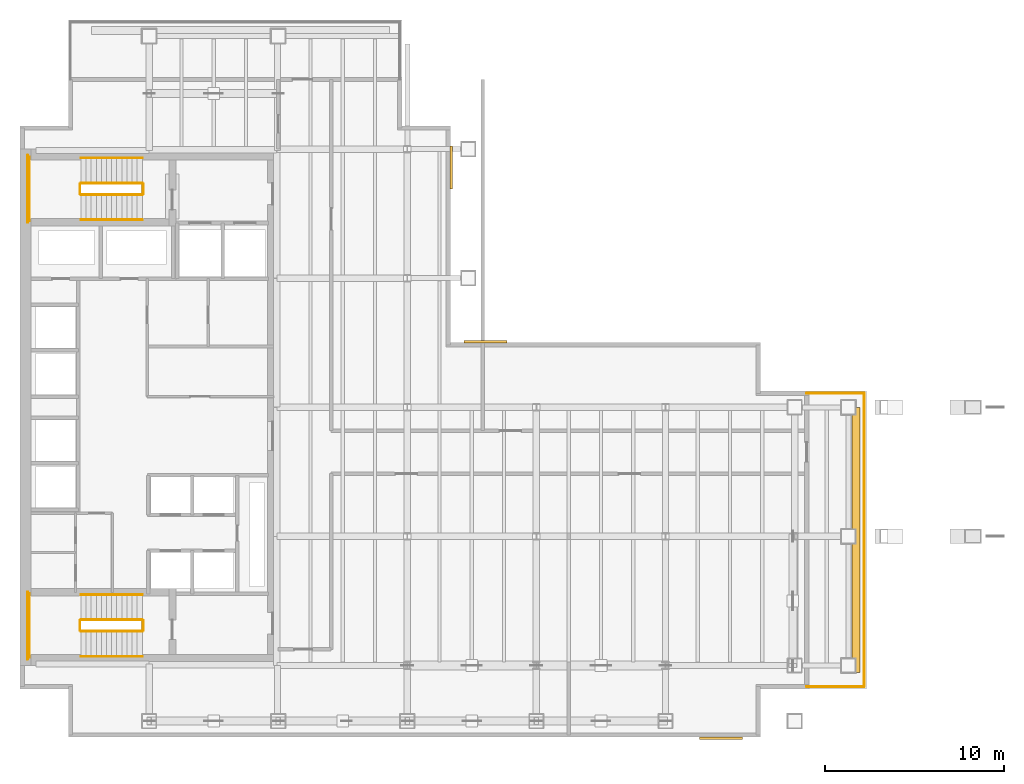
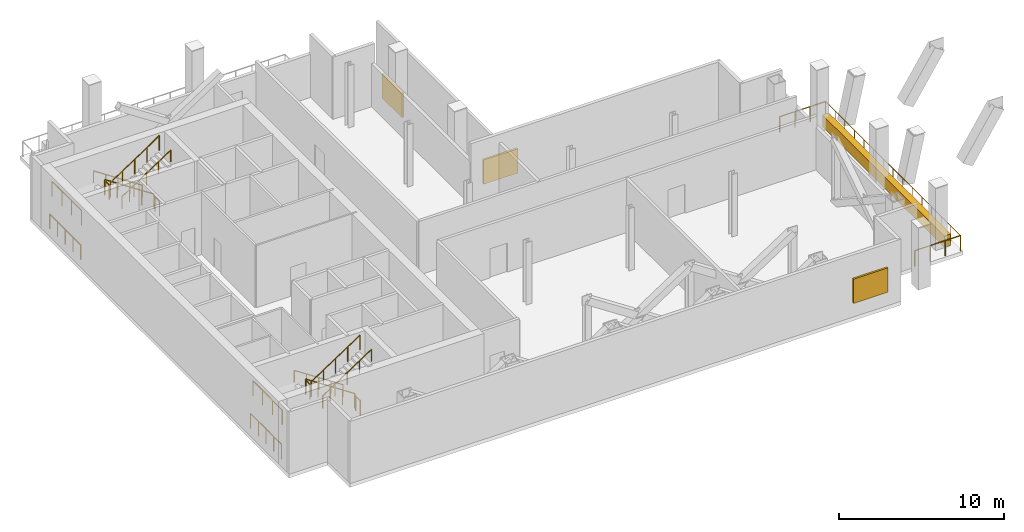
# One storey, part 7 of 8: 19 railings, 3 shading devices, 1 covering.
"""IFC4 building model written with IfcOpenShell, lengths in metres."""

from ifc_helpers import new_model, si_unit, direction, frame, origin, origin_2d, place, context, subcontext, project, spatial, polyline, circle, outline, extrude, material, layer, layer_set, type_object, element, save


model = new_model("IFC4")

# Units and contexts
model_context = context("Model", 3, precision=1e-05, world=origin(), true_north=direction((0.0, 1.0)))
body_context = subcontext(model_context, "Body", "Model", "MODEL_VIEW")
ifc_project = project(units=[si_unit("LENGTHUNIT", "METRE"), si_unit("AREAUNIT", "SQUARE_METRE"), si_unit("VOLUMEUNIT", "CUBIC_METRE"), si_unit("PLANEANGLEUNIT", "RADIAN"), si_unit("MASSUNIT", "GRAM", prefix="KILO")], contexts=[model_context])

# Site, building, storey
site_placement = place(None, origin())
site = spatial("IfcSite", under=ifc_project, at=site_placement, CompositionType="ELEMENT")
building_placement = place(site_placement, origin())
building = spatial("IfcBuilding", under=site, at=building_placement, Name="Cobrela Telecom Tower", CompositionType="ELEMENT")
storey_placement = place(building_placement, frame((0.0, 0.0, 163.800048828125)))
storey = spatial("IfcBuildingStorey", under=building, at=storey_placement, Name="L41", CompositionType="ELEMENT", Elevation=163.800048828125)

# Covering
ifc_material_1 = material(Name="Planted Vegetated Landscape Soil and Foliage System")
ifc_layer_1 = layer(ifc_material_1, 0.85009765625)
ifc_layer_set_1 = layer_set([ifc_layer_1], Name="Planted Vegetated Landscape Soil and Foliage System")
covering_type = type_object("IfcCoveringType", Name="PLANTER-BED-850", PredefinedType="USERDEFINED", material=ifc_layer_set_1)
covering_placement = place(storey_placement, origin())
element("IfcCovering", 1, at=covering_placement, inside=storey, type_object=covering_type, Name="L41 Sky Garden Planted Parapet Bed SG41-E", ObjectType="PLANTER", PredefinedType="USERDEFINED", context=body_context, shape_type="SweptSolid", body=[
    extrude(outline(polyline([(46.39990234375, 6.800048828125), (46.85009765625, 6.800048828125), (46.85009765625, 21.60009765625), (46.39990234375, 21.60009765625), (46.39990234375, 6.800048828125)])), origin(), (0.0, 0.0, 1.0), 0.849853515625),
])

# Railings
ifc_material_2 = material(Name="Anodized Bronze Aluminium 6063-T6", Category="aluminium")
railing_type_1 = type_object("IfcRailingType", Name="RAIL-BAL-1150", PredefinedType="BALUSTRADE", material=ifc_material_2)
railing_1_placement = place(storey_placement, frame((43.8798828125, 6.02001953125, 0.0)))
element("IfcRailing", 2, at=railing_1_placement, inside=storey, type_object=railing_type_1, Name="L41 Outdoor Terrace Perimeter Balustrade SG41-ES", PredefinedType="BALUSTRADE", context=body_context, shape_type="SweptSolid", body=[
    extrude(circle(Radius=0.02392578125, at=origin_2d()), frame((0.0, 0.0, 1.1259765625), z_axis=(1.0, 0.0, 0.0), x_axis=(0.0, 1.0, 0.0)), (0.0, 0.0, 1.0), 3.2001953125),
    extrude(circle(Radius=0.02099609375, at=origin_2d()), origin(), (0.0, 0.0, 1.0), 1.101806640625),
    extrude(circle(Radius=0.02099609375, at=origin_2d()), frame((1.066650390625, 0.0, 0.0)), (0.0, 0.0, 1.0), 1.101806640625),
    extrude(circle(Radius=0.02099609375, at=origin_2d()), frame((2.133544921875, 0.0, 0.0)), (0.0, 0.0, 1.0), 1.101806640625),
    extrude(circle(Radius=0.02099609375, at=origin_2d()), frame((3.2001953125, 0.0, 0.0)), (0.0, 0.0, 1.0), 1.101806640625),
])
railing_2_placement = place(storey_placement, frame((47.080078125, 6.02001953125, 0.0)))
element("IfcRailing", 3, at=railing_2_placement, inside=storey, type_object=railing_type_1, Name="L41 Outdoor Terrace Perimeter Balustrade SG41-EE", PredefinedType="BALUSTRADE", context=body_context, shape_type="SweptSolid", body=[
    extrude(circle(Radius=0.02392578125, at=origin_2d()), frame((0.0, 0.0, 1.1259765625), z_axis=(0.0, 1.0, 0.0), x_axis=(-1.0, 0.0, 0.0)), (0.0, 0.0, 1.0), 16.35986328125),
    extrude(circle(Radius=0.02099609375, at=origin_2d()), origin(), (0.0, 0.0, 1.0), 1.101806640625),
    extrude(circle(Radius=0.02099609375, at=origin_2d()), frame((0.0, 1.16845703125, 0.0)), (0.0, 0.0, 1.0), 1.101806640625),
    extrude(circle(Radius=0.02099609375, at=origin_2d()), frame((0.0, 2.337158203125, 0.0)), (0.0, 0.0, 1.0), 1.101806640625),
    extrude(circle(Radius=0.02099609375, at=origin_2d()), frame((0.0, 3.505615234375, 0.0)), (0.0, 0.0, 1.0), 1.101806640625),
    extrude(circle(Radius=0.02099609375, at=origin_2d()), frame((0.0, 4.67431640625, 0.0)), (0.0, 0.0, 1.0), 1.101806640625),
    extrude(circle(Radius=0.02099609375, at=origin_2d()), frame((0.0, 5.8427734375, 0.0)), (0.0, 0.0, 1.0), 1.101806640625),
    extrude(circle(Radius=0.02099609375, at=origin_2d()), frame((0.0, 7.011474609375, 0.0)), (0.0, 0.0, 1.0), 1.101806640625),
    extrude(circle(Radius=0.02099609375, at=origin_2d()), frame((0.0, 8.179931640625, 0.0)), (0.0, 0.0, 1.0), 1.101806640625),
    extrude(circle(Radius=0.02099609375, at=origin_2d()), frame((0.0, 9.348388671875, 0.0)), (0.0, 0.0, 1.0), 1.101806640625),
    extrude(circle(Radius=0.02099609375, at=origin_2d()), frame((0.0, 10.51708984375, 0.0)), (0.0, 0.0, 1.0), 1.101806640625),
    extrude(circle(Radius=0.02099609375, at=origin_2d()), frame((0.0, 11.685546875, 0.0)), (0.0, 0.0, 1.0), 1.101806640625),
    extrude(circle(Radius=0.02099609375, at=origin_2d()), frame((0.0, 12.854248046875, 0.0)), (0.0, 0.0, 1.0), 1.101806640625),
    extrude(circle(Radius=0.02099609375, at=origin_2d()), frame((0.0, 14.022705078125, 0.0)), (0.0, 0.0, 1.0), 1.101806640625),
    extrude(circle(Radius=0.02099609375, at=origin_2d()), frame((0.0, 15.19140625, 0.0)), (0.0, 0.0, 1.0), 1.101806640625),
    extrude(circle(Radius=0.02099609375, at=origin_2d()), frame((0.0, 16.35986328125, 0.0)), (0.0, 0.0, 1.0), 1.101806640625),
])
railing_3_placement = place(storey_placement, frame((47.080078125, 22.3798828125, 0.0)))
element("IfcRailing", 4, at=railing_3_placement, inside=storey, type_object=railing_type_1, Name="L41 Outdoor Terrace Perimeter Balustrade SG41-EN", PredefinedType="BALUSTRADE", context=body_context, shape_type="SweptSolid", body=[
    extrude(circle(Radius=0.02392578125, at=origin_2d()), frame((0.0, 0.0, 1.1259765625), z_axis=(-1.0, 0.0, 0.0), x_axis=(0.0, -1.0, 0.0)), (0.0, 0.0, 1.0), 3.2001953125),
    extrude(circle(Radius=0.02099609375, at=origin_2d()), origin(), (0.0, 0.0, 1.0), 1.101806640625),
    extrude(circle(Radius=0.02099609375, at=origin_2d()), frame((-1.066650390625, 0.0, 0.0)), (0.0, 0.0, 1.0), 1.101806640625),
    extrude(circle(Radius=0.02099609375, at=origin_2d()), frame((-2.133544921875, 0.0, 0.0)), (0.0, 0.0, 1.0), 1.101806640625),
    extrude(circle(Radius=0.02099609375, at=origin_2d()), frame((-3.2001953125, 0.0, 0.0)), (0.0, 0.0, 1.0), 1.101806640625),
])
ifc_material_3 = material(Name="Steel ASTM A36", Category="steel")
railing_type_2 = type_object("IfcRailingType", Name="RAIL-GUARD-1100", PredefinedType="GUARDRAIL", material=ifc_material_3)
railing_4_placement = place(storey_placement, frame((6.820068359375, 34.10009765625, 0.1884765625)))
element("IfcRailing", 5, at=railing_4_placement, inside=storey, type_object=railing_type_2, Name="L41 ST1 stair guard 1", PredefinedType="GUARDRAIL", context=body_context, shape_type="SweptSolid", body=[
    extrude(circle(Radius=0.02392578125, at=origin_2d()), frame((0.0, 0.0, 1.076171875), z_axis=(-0.83414210066, 0.0, 0.551549595147), x_axis=(0.0, -1.0, 0.0)), (0.0, 0.0, 1.0), 4.100341796875),
    extrude(circle(Radius=0.02099609375, at=origin_2d()), origin(), (0.0, 0.0, 1.0), 1.052001953125),
    extrude(circle(Radius=0.02099609375, at=origin_2d()), frame((-0.85498046875, 0.0, 0.5654296875)), (0.0, 0.0, 1.0), 1.052001953125),
    extrude(circle(Radius=0.02099609375, at=origin_2d()), frame((-1.7099609375, 0.0, 1.130859375)), (0.0, 0.0, 1.0), 1.052001953125),
    extrude(circle(Radius=0.02099609375, at=origin_2d()), frame((-2.565185546875, 0.0, 1.696044921875)), (0.0, 0.0, 1.0), 1.052001953125),
    extrude(circle(Radius=0.02099609375, at=origin_2d()), frame((-3.420166015625, 0.0, 2.261474609375)), (0.0, 0.0, 1.0), 1.052001953125),
])
railing_5_placement = place(storey_placement, frame((3.35009765625, 34.050048828125, 2.449951171875)))
element("IfcRailing", 6, at=railing_5_placement, inside=storey, type_object=railing_type_2, Name="L41 ST1 stair guard 2", PredefinedType="GUARDRAIL", context=body_context, shape_type="SweptSolid", body=[
    extrude(circle(Radius=0.02392578125, at=origin_2d()), frame((0.0, 0.0, 1.076171875), z_axis=(0.0, -1.0, 0.0), x_axis=(1.0, 0.0, 0.0)), (0.0, 0.0, 1.0), 0.550048828125),
    extrude(circle(Radius=0.02099609375, at=origin_2d()), origin(), (0.0, 0.0, 1.0), 1.052001953125),
    extrude(circle(Radius=0.02099609375, at=origin_2d()), frame((0.0, -0.550048828125, 0.0)), (0.0, 0.0, 1.0), 1.052001953125),
])
railing_6_placement = place(storey_placement, frame((0.530029296875, 35.550048828125, 2.449951171875)))
element("IfcRailing", 7, at=railing_6_placement, inside=storey, type_object=railing_type_2, Name="L41 ST1 stair guard 3", PredefinedType="GUARDRAIL", context=body_context, shape_type="SweptSolid", body=[
    extrude(circle(Radius=0.02392578125, at=origin_2d()), frame((0.0, 0.0, 1.076171875), z_axis=(0.0, -1.0, 0.0), x_axis=(1.0, 0.0, 0.0)), (0.0, 0.0, 1.0), 3.550048828125),
    extrude(circle(Radius=0.02099609375, at=origin_2d()), origin(), (0.0, 0.0, 1.0), 1.052001953125),
    extrude(circle(Radius=0.02099609375, at=origin_2d()), frame((0.0, -1.183349609375, 0.0)), (0.0, 0.0, 1.0), 1.052001953125),
    extrude(circle(Radius=0.02099609375, at=origin_2d()), frame((0.0, -2.36669921875, 0.0)), (0.0, 0.0, 1.0), 1.052001953125),
    extrude(circle(Radius=0.02099609375, at=origin_2d()), frame((0.0, -3.550048828125, 0.0)), (0.0, 0.0, 1.0), 1.052001953125),
])
railing_7_placement = place(storey_placement, frame((3.39990234375, 33.449951171875, 2.638427734375)))
element("IfcRailing", 8, at=railing_7_placement, inside=storey, type_object=railing_type_2, Name="L41 ST1 stair guard 4", PredefinedType="GUARDRAIL", context=body_context, shape_type="SweptSolid", body=[
    extrude(circle(Radius=0.02392578125, at=origin_2d()), frame((0.0, 0.0, 1.076171875), z_axis=(0.83414210066, 0.0, 0.551549595147), x_axis=(0.0, 1.0, 0.0)), (0.0, 0.0, 1.0), 4.100341796875),
    extrude(circle(Radius=0.02099609375, at=origin_2d()), origin(), (0.0, 0.0, 1.0), 1.052001953125),
    extrude(circle(Radius=0.02099609375, at=origin_2d()), frame((0.85498046875, 0.0, 0.5654296875)), (0.0, 0.0, 1.0), 1.052001953125),
    extrude(circle(Radius=0.02099609375, at=origin_2d()), frame((1.7099609375, 0.0, 1.130859375)), (0.0, 0.0, 1.0), 1.052001953125),
    extrude(circle(Radius=0.02099609375, at=origin_2d()), frame((2.565185546875, 0.0, 1.696044921875)), (0.0, 0.0, 1.0), 1.052001953125),
    extrude(circle(Radius=0.02099609375, at=origin_2d()), frame((3.420166015625, 0.0, 2.261474609375)), (0.0, 0.0, 1.0), 1.052001953125),
])
railing_8_placement = place(storey_placement, frame((6.8701171875, 34.050048828125, 0.0)))
element("IfcRailing", 9, at=railing_8_placement, inside=storey, type_object=railing_type_2, Name="L41 ST1 stair guard 5", PredefinedType="GUARDRAIL", context=body_context, shape_type="SweptSolid", body=[
    extrude(circle(Radius=0.02392578125, at=origin_2d()), frame((0.0, 0.0, 1.076171875), z_axis=(0.0, -1.0, 0.0), x_axis=(1.0, 0.0, 0.0)), (0.0, 0.0, 1.0), 0.550048828125),
    extrude(circle(Radius=0.02099609375, at=origin_2d()), origin(), (0.0, 0.0, 1.0), 1.052001953125),
    extrude(circle(Radius=0.02099609375, at=origin_2d()), frame((0.0, -0.550048828125, 0.0)), (0.0, 0.0, 1.0), 1.052001953125),
])
railing_9_placement = place(storey_placement, frame((0.429931640625, 35.64990234375, 0.0)))
element("IfcRailing", 10, at=railing_9_placement, inside=storey, type_object=railing_type_2, Name="L41 ST1 stair guard 6", PredefinedType="GUARDRAIL", context=body_context, shape_type="SweptSolid", body=[
    extrude(circle(Radius=0.02392578125, at=origin_2d()), frame((0.0, 0.0, 1.076171875), z_axis=(0.0, -1.0, 0.0), x_axis=(1.0, 0.0, 0.0)), (0.0, 0.0, 1.0), 3.75),
    extrude(circle(Radius=0.02099609375, at=origin_2d()), origin(), (0.0, 0.0, 1.0), 1.052001953125),
    extrude(circle(Radius=0.02099609375, at=origin_2d()), frame((0.0, -0.9375, 0.0)), (0.0, 0.0, 1.0), 1.052001953125),
    extrude(circle(Radius=0.02099609375, at=origin_2d()), frame((0.0, -1.875, 0.0)), (0.0, 0.0, 1.0), 1.052001953125),
    extrude(circle(Radius=0.02099609375, at=origin_2d()), frame((0.0, -2.8125, 0.0)), (0.0, 0.0, 1.0), 1.052001953125),
    extrude(circle(Radius=0.02099609375, at=origin_2d()), frame((0.0, -3.75, 0.0)), (0.0, 0.0, 1.0), 1.052001953125),
])
railing_10_placement = place(storey_placement, frame((6.820068359375, 9.75, 0.1884765625)))
element("IfcRailing", 11, at=railing_10_placement, inside=storey, type_object=railing_type_2, Name="L41 ST2 stair guard 1", PredefinedType="GUARDRAIL", context=body_context, shape_type="SweptSolid", body=[
    extrude(circle(Radius=0.02392578125, at=origin_2d()), frame((0.0, 0.0, 1.076171875), z_axis=(-0.83414210066, 0.0, 0.551549595147), x_axis=(0.0, -1.0, 0.0)), (0.0, 0.0, 1.0), 4.100341796875),
    extrude(circle(Radius=0.02099609375, at=origin_2d()), origin(), (0.0, 0.0, 1.0), 1.052001953125),
    extrude(circle(Radius=0.02099609375, at=origin_2d()), frame((-0.85498046875, 0.0, 0.5654296875)), (0.0, 0.0, 1.0), 1.052001953125),
    extrude(circle(Radius=0.02099609375, at=origin_2d()), frame((-1.7099609375, 0.0, 1.130859375)), (0.0, 0.0, 1.0), 1.052001953125),
    extrude(circle(Radius=0.02099609375, at=origin_2d()), frame((-2.565185546875, 0.0, 1.696044921875)), (0.0, 0.0, 1.0), 1.052001953125),
    extrude(circle(Radius=0.02099609375, at=origin_2d()), frame((-3.420166015625, 0.0, 2.261474609375)), (0.0, 0.0, 1.0), 1.052001953125),
])
railing_11_placement = place(storey_placement, frame((3.35009765625, 9.699951171875, 2.449951171875)))
element("IfcRailing", 12, at=railing_11_placement, inside=storey, type_object=railing_type_2, Name="L41 ST2 stair guard 2", PredefinedType="GUARDRAIL", context=body_context, shape_type="SweptSolid", body=[
    extrude(circle(Radius=0.02392578125, at=origin_2d()), frame((0.0, 0.0, 1.076171875), z_axis=(0.0, -1.0, 0.0), x_axis=(1.0, 0.0, 0.0)), (0.0, 0.0, 1.0), 0.550048828125),
    extrude(circle(Radius=0.02099609375, at=origin_2d()), origin(), (0.0, 0.0, 1.0), 1.052001953125),
    extrude(circle(Radius=0.02099609375, at=origin_2d()), frame((0.0, -0.550048828125, 0.0)), (0.0, 0.0, 1.0), 1.052001953125),
])
railing_12_placement = place(storey_placement, frame((0.530029296875, 11.199951171875, 2.449951171875)))
element("IfcRailing", 13, at=railing_12_placement, inside=storey, type_object=railing_type_2, Name="L41 ST2 stair guard 3", PredefinedType="GUARDRAIL", context=body_context, shape_type="SweptSolid", body=[
    extrude(circle(Radius=0.02392578125, at=origin_2d()), frame((0.0, 0.0, 1.076171875), z_axis=(0.0, -1.0, 0.0), x_axis=(1.0, 0.0, 0.0)), (0.0, 0.0, 1.0), 3.550048828125),
    extrude(circle(Radius=0.02099609375, at=origin_2d()), origin(), (0.0, 0.0, 1.0), 1.052001953125),
    extrude(circle(Radius=0.02099609375, at=origin_2d()), frame((0.0, -1.183349609375, 0.0)), (0.0, 0.0, 1.0), 1.052001953125),
    extrude(circle(Radius=0.02099609375, at=origin_2d()), frame((0.0, -2.36669921875, 0.0)), (0.0, 0.0, 1.0), 1.052001953125),
    extrude(circle(Radius=0.02099609375, at=origin_2d()), frame((0.0, -3.550048828125, 0.0)), (0.0, 0.0, 1.0), 1.052001953125),
])
railing_13_placement = place(storey_placement, frame((3.39990234375, 9.10009765625, 2.638427734375)))
element("IfcRailing", 14, at=railing_13_placement, inside=storey, type_object=railing_type_2, Name="L41 ST2 stair guard 4", PredefinedType="GUARDRAIL", context=body_context, shape_type="SweptSolid", body=[
    extrude(circle(Radius=0.02392578125, at=origin_2d()), frame((0.0, 0.0, 1.076171875), z_axis=(0.83414210066, 0.0, 0.551549595147), x_axis=(0.0, 1.0, 0.0)), (0.0, 0.0, 1.0), 4.100341796875),
    extrude(circle(Radius=0.02099609375, at=origin_2d()), origin(), (0.0, 0.0, 1.0), 1.052001953125),
    extrude(circle(Radius=0.02099609375, at=origin_2d()), frame((0.85498046875, 0.0, 0.5654296875)), (0.0, 0.0, 1.0), 1.052001953125),
    extrude(circle(Radius=0.02099609375, at=origin_2d()), frame((1.7099609375, 0.0, 1.130859375)), (0.0, 0.0, 1.0), 1.052001953125),
    extrude(circle(Radius=0.02099609375, at=origin_2d()), frame((2.565185546875, 0.0, 1.696044921875)), (0.0, 0.0, 1.0), 1.052001953125),
    extrude(circle(Radius=0.02099609375, at=origin_2d()), frame((3.420166015625, 0.0, 2.261474609375)), (0.0, 0.0, 1.0), 1.052001953125),
])
railing_14_placement = place(storey_placement, frame((6.8701171875, 9.699951171875, 0.0)))
element("IfcRailing", 15, at=railing_14_placement, inside=storey, type_object=railing_type_2, Name="L41 ST2 stair guard 5", PredefinedType="GUARDRAIL", context=body_context, shape_type="SweptSolid", body=[
    extrude(circle(Radius=0.02392578125, at=origin_2d()), frame((0.0, 0.0, 1.076171875), z_axis=(0.0, -1.0, 0.0), x_axis=(1.0, 0.0, 0.0)), (0.0, 0.0, 1.0), 0.550048828125),
    extrude(circle(Radius=0.02099609375, at=origin_2d()), origin(), (0.0, 0.0, 1.0), 1.052001953125),
    extrude(circle(Radius=0.02099609375, at=origin_2d()), frame((0.0, -0.550048828125, 0.0)), (0.0, 0.0, 1.0), 1.052001953125),
])
railing_15_placement = place(storey_placement, frame((0.429931640625, 11.300048828125, 0.0)))
element("IfcRailing", 16, at=railing_15_placement, inside=storey, type_object=railing_type_2, Name="L41 ST2 stair guard 6", PredefinedType="GUARDRAIL", context=body_context, shape_type="SweptSolid", body=[
    extrude(circle(Radius=0.02392578125, at=origin_2d()), frame((0.0, 0.0, 1.076171875), z_axis=(0.0, -1.0, 0.0), x_axis=(1.0, 0.0, 0.0)), (0.0, 0.0, 1.0), 3.75),
    extrude(circle(Radius=0.02099609375, at=origin_2d()), origin(), (0.0, 0.0, 1.0), 1.052001953125),
    extrude(circle(Radius=0.02099609375, at=origin_2d()), frame((0.0, -0.9375, 0.0)), (0.0, 0.0, 1.0), 1.052001953125),
    extrude(circle(Radius=0.02099609375, at=origin_2d()), frame((0.0, -1.875, 0.0)), (0.0, 0.0, 1.0), 1.052001953125),
    extrude(circle(Radius=0.02099609375, at=origin_2d()), frame((0.0, -2.8125, 0.0)), (0.0, 0.0, 1.0), 1.052001953125),
    extrude(circle(Radius=0.02099609375, at=origin_2d()), frame((0.0, -3.75, 0.0)), (0.0, 0.0, 1.0), 1.052001953125),
])
railing_type_3 = type_object("IfcRailingType", Name="RAIL-HAND-920", PredefinedType="HANDRAIL", material=ifc_material_3)
railing_16_placement = place(storey_placement, frame((6.820068359375, 35.5, 0.1884765625)))
element("IfcRailing", 17, at=railing_16_placement, inside=storey, type_object=railing_type_3, Name="L41 ST1 stair handrail 1", PredefinedType="HANDRAIL", context=body_context, shape_type="SweptSolid", body=[
    extrude(circle(Radius=0.02392578125, at=origin_2d()), frame((0.0, 0.0, 0.8759765625), z_axis=(-0.83414210066, 0.0, 0.551549595147), x_axis=(0.0, -1.0, 0.0)), (0.0, 0.0, 1.0), 4.100341796875),
    extrude(circle(Radius=0.02099609375, at=origin_2d()), origin(), (0.0, 0.0, 1.0), 0.851806640625),
    extrude(circle(Radius=0.02099609375, at=origin_2d()), frame((-0.85498046875, 0.0, 0.5654296875)), (0.0, 0.0, 1.0), 0.851806640625),
    extrude(circle(Radius=0.02099609375, at=origin_2d()), frame((-1.7099609375, 0.0, 1.130859375)), (0.0, 0.0, 1.0), 0.851806640625),
    extrude(circle(Radius=0.02099609375, at=origin_2d()), frame((-2.565185546875, 0.0, 1.696044921875)), (0.0, 0.0, 1.0), 0.851806640625),
    extrude(circle(Radius=0.02099609375, at=origin_2d()), frame((-3.420166015625, 0.0, 2.261474609375)), (0.0, 0.0, 1.0), 0.851806640625),
])
railing_17_placement = place(storey_placement, frame((3.39990234375, 32.050048828125, 2.638427734375)))
element("IfcRailing", 18, at=railing_17_placement, inside=storey, type_object=railing_type_3, Name="L41 ST1 stair handrail 2", PredefinedType="HANDRAIL", context=body_context, shape_type="SweptSolid", body=[
    extrude(circle(Radius=0.02392578125, at=origin_2d()), frame((0.0, 0.0, 0.8759765625), z_axis=(0.83414210066, 0.0, 0.551549595147), x_axis=(0.0, 1.0, 0.0)), (0.0, 0.0, 1.0), 4.100341796875),
    extrude(circle(Radius=0.02099609375, at=origin_2d()), origin(), (0.0, 0.0, 1.0), 0.851806640625),
    extrude(circle(Radius=0.02099609375, at=origin_2d()), frame((0.85498046875, 0.0, 0.5654296875)), (0.0, 0.0, 1.0), 0.851806640625),
    extrude(circle(Radius=0.02099609375, at=origin_2d()), frame((1.7099609375, 0.0, 1.130859375)), (0.0, 0.0, 1.0), 0.851806640625),
    extrude(circle(Radius=0.02099609375, at=origin_2d()), frame((2.565185546875, 0.0, 1.696044921875)), (0.0, 0.0, 1.0), 0.851806640625),
    extrude(circle(Radius=0.02099609375, at=origin_2d()), frame((3.420166015625, 0.0, 2.261474609375)), (0.0, 0.0, 1.0), 0.851806640625),
])
railing_18_placement = place(storey_placement, frame((6.820068359375, 11.14990234375, 0.1884765625)))
element("IfcRailing", 19, at=railing_18_placement, inside=storey, type_object=railing_type_3, Name="L41 ST2 stair handrail 1", PredefinedType="HANDRAIL", context=body_context, shape_type="SweptSolid", body=[
    extrude(circle(Radius=0.02392578125, at=origin_2d()), frame((0.0, 0.0, 0.8759765625), z_axis=(-0.83414210066, 0.0, 0.551549595147), x_axis=(0.0, -1.0, 0.0)), (0.0, 0.0, 1.0), 4.100341796875),
    extrude(circle(Radius=0.02099609375, at=origin_2d()), origin(), (0.0, 0.0, 1.0), 0.851806640625),
    extrude(circle(Radius=0.02099609375, at=origin_2d()), frame((-0.85498046875, 0.0, 0.5654296875)), (0.0, 0.0, 1.0), 0.851806640625),
    extrude(circle(Radius=0.02099609375, at=origin_2d()), frame((-1.7099609375, 0.0, 1.130859375)), (0.0, 0.0, 1.0), 0.851806640625),
    extrude(circle(Radius=0.02099609375, at=origin_2d()), frame((-2.565185546875, 0.0, 1.696044921875)), (0.0, 0.0, 1.0), 0.851806640625),
    extrude(circle(Radius=0.02099609375, at=origin_2d()), frame((-3.420166015625, 0.0, 2.261474609375)), (0.0, 0.0, 1.0), 0.851806640625),
])
railing_19_placement = place(storey_placement, frame((3.39990234375, 7.699951171875, 2.638427734375)))
element("IfcRailing", 20, at=railing_19_placement, inside=storey, type_object=railing_type_3, Name="L41 ST2 stair handrail 2", PredefinedType="HANDRAIL", context=body_context, shape_type="SweptSolid", body=[
    extrude(circle(Radius=0.02392578125, at=origin_2d()), frame((0.0, 0.0, 0.8759765625), z_axis=(0.83414210066, 0.0, 0.551549595147), x_axis=(0.0, 1.0, 0.0)), (0.0, 0.0, 1.0), 4.100341796875),
    extrude(circle(Radius=0.02099609375, at=origin_2d()), origin(), (0.0, 0.0, 1.0), 0.851806640625),
    extrude(circle(Radius=0.02099609375, at=origin_2d()), frame((0.85498046875, 0.0, 0.5654296875)), (0.0, 0.0, 1.0), 0.851806640625),
    extrude(circle(Radius=0.02099609375, at=origin_2d()), frame((1.7099609375, 0.0, 1.130859375)), (0.0, 0.0, 1.0), 0.851806640625),
    extrude(circle(Radius=0.02099609375, at=origin_2d()), frame((2.565185546875, 0.0, 1.696044921875)), (0.0, 0.0, 1.0), 0.851806640625),
    extrude(circle(Radius=0.02099609375, at=origin_2d()), frame((3.420166015625, 0.0, 2.261474609375)), (0.0, 0.0, 1.0), 0.851806640625),
])

# Shading devices
ifc_layer_2 = layer(ifc_material_2, 0.159912109375)
ifc_layer_set_2 = layer_set([ifc_layer_2], Name="Anodized Bronze Aluminium 6063-T6")
shading_device_type = type_object("IfcShadingDeviceType", Name="SHD-LOUVRE-BRZ", PredefinedType="JALOUSIE", material=ifc_layer_set_2)
shading_device_1_placement = place(storey_placement, frame((0.0, 0.0, 1.099853515625)))
element("IfcShadingDevice", 21, at=shading_device_1_placement, inside=storey, type_object=shading_device_type, Name="L41 Acoustic Bronze Plant Louvre 09", PredefinedType="JALOUSIE", context=body_context, shape_type="SweptSolid", body=[
    extrude(outline(polyline([(23.989990234375, 36.179931640625), (23.989990234375, 33.780029296875), (24.1298828125, 33.780029296875), (24.1298828125, 36.179931640625), (23.989990234375, 36.179931640625)])), origin(), (0.0, 0.0, 1.0), 1.800048828125),
])
shading_device_2_placement = place(storey_placement, frame((0.0, 0.0, 1.099853515625)))
element("IfcShadingDevice", 22, at=shading_device_2_placement, inside=storey, type_object=shading_device_type, Name="L41 Acoustic Bronze Plant Louvre 10", PredefinedType="JALOUSIE", context=body_context, shape_type="SweptSolid", body=[
    extrude(outline(polyline([(24.760009765625, 25.18994140625), (27.159912109375, 25.18994140625), (27.159912109375, 25.330078125), (24.760009765625, 25.330078125), (24.760009765625, 25.18994140625)])), origin(), (0.0, 0.0, 1.0), 1.800048828125),
])
shading_device_3_placement = place(storey_placement, frame((0.0, 0.0, 1.099853515625)))
element("IfcShadingDevice", 23, at=shading_device_3_placement, inside=storey, type_object=shading_device_type, Name="L41 Acoustic Bronze Plant Louvre 11", PredefinedType="JALOUSIE", context=body_context, shape_type="SweptSolid", body=[
    extrude(outline(polyline([(40.300048828125, 3.2099609375), (37.89990234375, 3.2099609375), (37.89990234375, 3.070068359375), (40.300048828125, 3.070068359375), (40.300048828125, 3.2099609375)])), origin(), (0.0, 0.0, 1.0), 1.800048828125),
])

save(model, "model.ifc")
